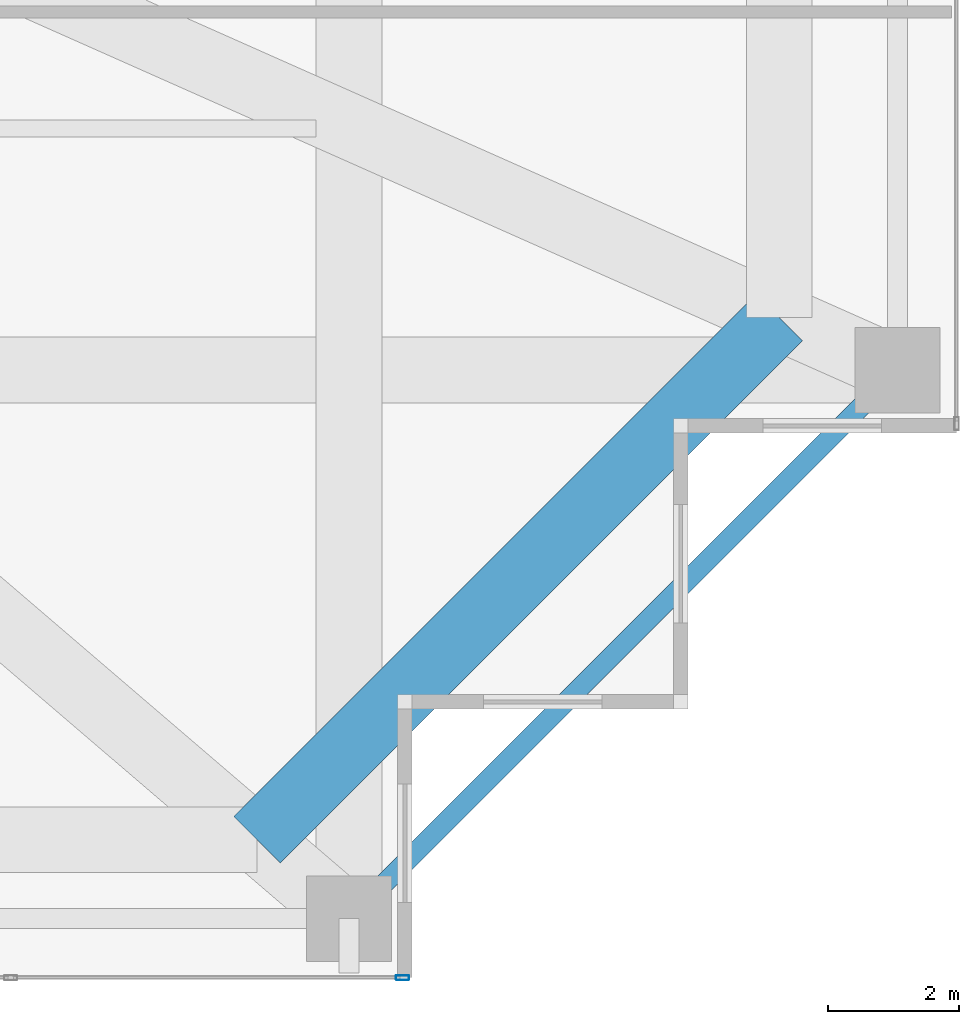
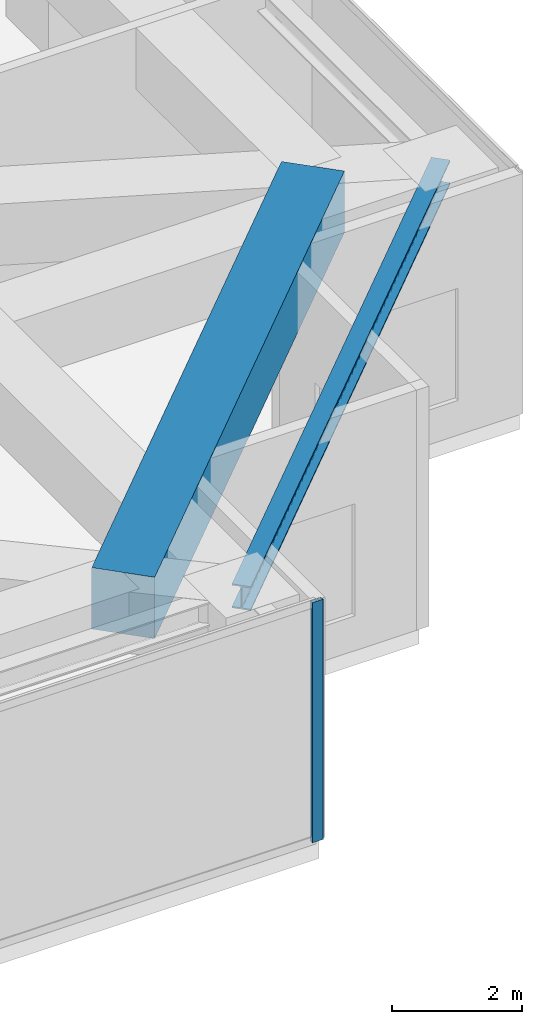
# One storey, part 13 of 35: 2 beams, 1 member, 1 element without a shape of its own.
"""IFC4 building model written with IfcOpenShell, lengths in metres."""

from ifc_helpers import new_model, si_unit, direction, frame, origin, origin_2d, place, context, subcontext, project, spatial, rectangle, hollow_rectangle, i_section, extrude, source, transform, mapped, material, layer, layer_set, material_profile, profile_set, type_object, element, aggregate, save


model = new_model("IFC4")

# Units and contexts
model_context = context("Model", 3, precision=1e-05, world=origin(), true_north=direction((0.0, 1.0)))
body_context = subcontext(model_context, "Body", "Model", "MODEL_VIEW")
ifc_project = project(units=[si_unit("LENGTHUNIT", "METRE"), si_unit("AREAUNIT", "SQUARE_METRE"), si_unit("VOLUMEUNIT", "CUBIC_METRE"), si_unit("PLANEANGLEUNIT", "RADIAN"), si_unit("MASSUNIT", "GRAM", prefix="KILO")], contexts=[model_context])

# Site, building, storey
site_placement = place(None, origin())
site = spatial("IfcSite", under=ifc_project, at=site_placement, CompositionType="ELEMENT")
building_placement = place(site_placement, origin())
building = spatial("IfcBuilding", under=site, at=building_placement, Name="Serunith Strait Residences", CompositionType="ELEMENT")
storey_placement = place(building_placement, frame((0.0, 0.0, 115.199951171875)))
storey = spatial("IfcBuildingStorey", under=building, at=storey_placement, Name="L28", CompositionType="ELEMENT", Elevation=115.199951171875)

# Beams
ifc_material_1 = material(Name="Steel S355J2", Category="steel")
ifc_material_profile_1 = material_profile(ifc_material_1, i_section(OverallWidth=0.300048828125, OverallDepth=0.449951171875, WebThickness=0.013916015625, FlangeThickness=0.02587890625, FilletRadius=0.027099609375, at=origin_2d()), Name="HEB 450")
ifc_profile_set_1 = profile_set([ifc_material_profile_1], Name="Steel S355J2")
beam_type_1 = type_object("IfcBeamType", Name="BM-HEB450", PredefinedType="BEAM", material=ifc_profile_set_1)
shared_shape_1 = source(origin(), body_context, "Body", "SweptSolid", [
    extrude(i_section(OverallWidth=0.300048828125, OverallDepth=0.449951171875, WebThickness=0.013916015625, FlangeThickness=0.02587890625, FilletRadius=0.027099609375, at=origin_2d()), origin(), (0.0, 0.0, 1.0), 11.80859375),
])
beam_1_placement = place(storey_placement, frame((49.550048828125, 1.10009765625, 4.281982421875), z_axis=(0.707106781187, 0.707106781187, 0.0), x_axis=(-0.707106781187, 0.707106781187, 0.0)))
element("IfcBeam", 1, at=beam_1_placement, inside=storey, type_object=beam_type_1, Name="L28 Perimeter Ring Beam 04", PredefinedType="BEAM", context=body_context, shape_type="MappedRepresentation", body=[
    mapped(shared_shape_1, transform((0.0, 0.0, 0.0), scale=1.0)),
])
ifc_material_2 = material(Name="Concrete C80/95", Category="concrete")
ifc_material_profile_2 = material_profile(ifc_material_2, rectangle(XDim=1.0, YDim=1.14990234375, at=origin_2d()), Name="RC 1000x1150")
ifc_profile_set_2 = profile_set([ifc_material_profile_2], Name="Concrete C80/95")
beam_type_2 = type_object("IfcBeamType", Name="BM-XFER-1000x1150", PredefinedType="BEAM", material=ifc_profile_set_2)
shared_shape_2 = source(origin(), body_context, "Body", "SweptSolid", [
    extrude(rectangle(XDim=1.0, YDim=1.14990234375, at=origin_2d()), origin(), (0.0, 0.0, 1.0), 11.2431640625),
])
beam_2_placement = place(storey_placement, frame((48.14990234375, 2.300048828125, 3.93505859375), z_axis=(0.707117638455, 0.707095923751, 0.0), x_axis=(-0.707095923751, 0.707117638455, 0.0)))
element("IfcBeam", 2, at=beam_2_placement, inside=storey, type_object=beam_type_2, Name="L28 Flare Upper Ring Transfer Girder 04", PredefinedType="BEAM", context=body_context, shape_type="MappedRepresentation", body=[
    mapped(shared_shape_2, transform((0.0, 0.0, 0.0), scale=1.0)),
])

# Curtain wall, member
ifc_material_3 = material(Name="Pale-Champagne Anodised Aluminium", Category="aluminium")
ifc_layer = layer(ifc_material_3, 0.199951171875, Name="Pale-Champagne Anodised Aluminium")
ifc_layer_set = layer_set([ifc_layer], Name="Pale-Champagne Anodised Aluminium")
curtain_wall_type = type_object("IfcCurtainWallType", Name="CW-SYS1", PredefinedType="NOTDEFINED", material=ifc_layer_set)
curtain_wall_placement = place(storey_placement, origin())
curtain_wall = element("IfcCurtainWall", 3, at=curtain_wall_placement, inside=storey, type_object=curtain_wall_type, Name="L28 S Unitised Fritted Curtain Wall", PredefinedType="NOTDEFINED")
ifc_material_profile_3 = material_profile(ifc_material_3, hollow_rectangle(XDim=0.070068359375, YDim=0.199951171875, WallThickness=0.00390625, InnerFilletRadius=0.006103515625, OuterFilletRadius=0.010009765625, at=origin_2d()), Name="ALU 200x70x4")
ifc_profile_set_3 = profile_set([ifc_material_profile_3], Name="Pale-Champagne Anodised Aluminium")
member_type = type_object("IfcMemberType", Name="CW-SYS1-MULL", PredefinedType="MULLION", material=ifc_profile_set_3)
shared_shape_3 = source(origin(), body_context, "Body", "SweptSolid", [
    extrude(hollow_rectangle(XDim=0.070068359375, YDim=0.199951171875, WallThickness=0.00390625, InnerFilletRadius=0.006103515625, OuterFilletRadius=0.010009765625, at=origin_2d()), origin(), (0.0, 0.0, 1.0), 4.4951171875),
])
member_placement = place(storey_placement, frame((50.364990234375, 0.199951171875, 0.0), z_axis=(0.0, 0.0, 1.0), x_axis=(0.0, 1.0, 0.0)))
member = element("IfcMember", 4, at=member_placement, type_object=member_type, Name="CW-1 mullion 7", PredefinedType="MULLION", context=body_context, shape_type="MappedRepresentation", body=[
    mapped(shared_shape_3, transform((0.0, 0.0, 0.0), scale=1.0)),
])
aggregate(curtain_wall, [member])

save(model, "model.ifc")
